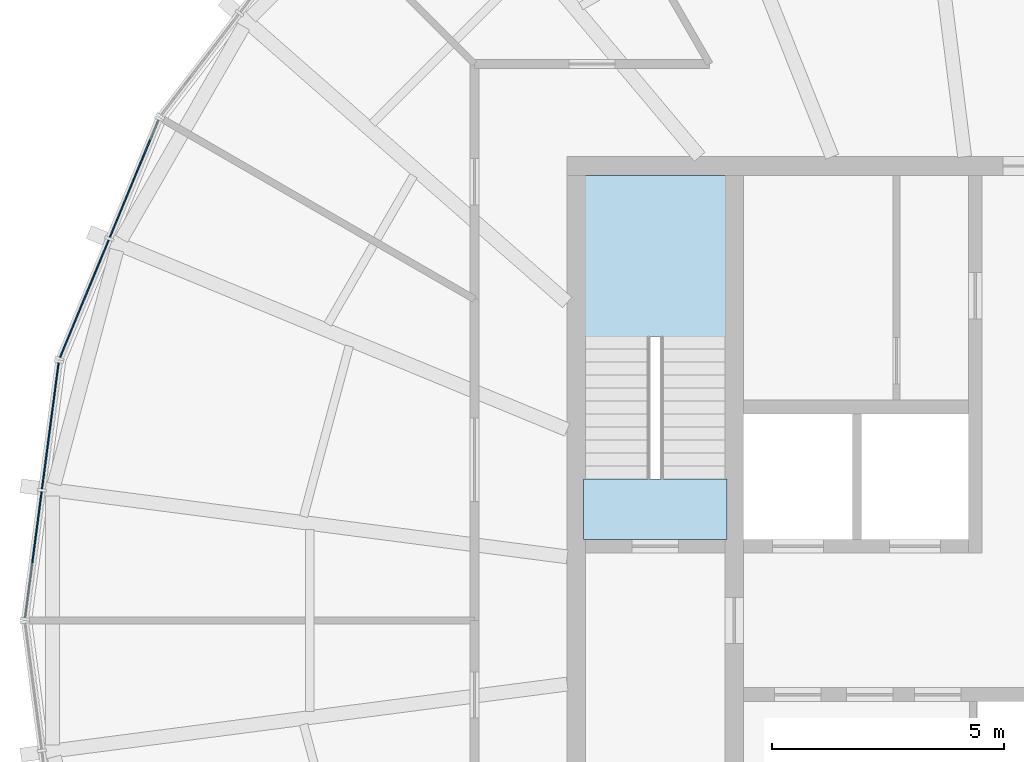
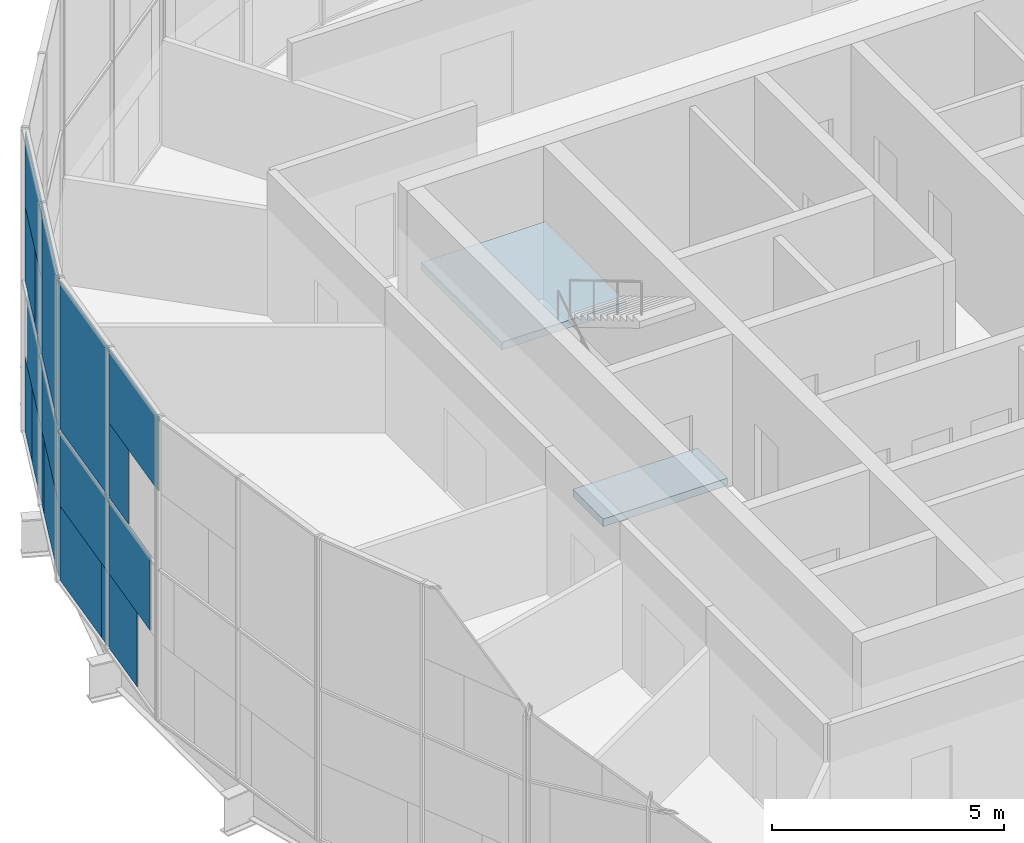
# One storey, part 10 of 18: 18 plates, 2 slabs, 3 elements without a shape of their own.
"""IFC4 building model written with IfcOpenShell, lengths in metres."""

from ifc_helpers import new_model, si_unit, direction, frame, origin, origin_2d, place, context, subcontext, project, spatial, polyline, rectangle, outline, extrude, material, layer, layer_set, type_object, element, aggregate, save


model = new_model("IFC4")

# Units and contexts
model_context = context("Model", 3, precision=1e-05, world=origin(), true_north=direction((0.0, 1.0)))
body_context = subcontext(model_context, "Body", "Model", "MODEL_VIEW")
ifc_project = project(units=[si_unit("LENGTHUNIT", "METRE"), si_unit("AREAUNIT", "SQUARE_METRE"), si_unit("VOLUMEUNIT", "CUBIC_METRE"), si_unit("PLANEANGLEUNIT", "RADIAN"), si_unit("MASSUNIT", "GRAM", prefix="KILO")], contexts=[model_context])

# Site, building, storey
site_placement = place(None, origin())
site = spatial("IfcSite", under=ifc_project, at=site_placement, CompositionType="ELEMENT")
building_placement = place(site_placement, origin())
building = spatial("IfcBuilding", under=site, at=building_placement, Name="Golbaran Civic Tower", CompositionType="ELEMENT")
storey_placement = place(building_placement, frame((0.0, 0.0, 272.0)))
storey = spatial("IfcBuildingStorey", under=building, at=storey_placement, Name="L66", CompositionType="ELEMENT", Elevation=272.0)

# Curtain wall, plates
ifc_material_1 = material(Name="Aluminium and glass", Category="aluminium")
curtain_wall_type = type_object("IfcCurtainWallType", Name="INNER SKIN CURTAIN WALL EXECUTIVE", PredefinedType="NOTDEFINED", material=ifc_material_1)
curtain_wall_1_placement = place(storey_placement, origin())
curtain_wall_1 = element("IfcCurtainWall", 1, at=curtain_wall_1_placement, inside=storey, type_object=curtain_wall_type, Name="Inner skin L66 facet 11 CW2", ObjectType="INNER SKIN", PredefinedType="USERDEFINED")
ifc_material_2 = material(Name="Clear insulating glass", Category="glass")
ifc_layer_1 = layer(ifc_material_2, 0.031982421875, Name="Clear insulating glass")
ifc_layer_set_1 = layer_set([ifc_layer_1], Name="Clear insulating glass")
plate_type_1 = type_object("IfcPlateType", Name="INNER SKIN CURTAIN WALL EXECUTIVE GLAZED PANEL", PredefinedType="CURTAIN_PANEL", material=ifc_layer_set_1)
plate_1_placement = place(storey_placement, frame((-19.041259765625, 10.24755859375, 0.06005859375), z_axis=(0.0, 0.0, 1.0), x_axis=(-0.382683432397, -0.923879532498, 0.0)))
plate_1 = element("IfcPlate", 2, at=plate_1_placement, type_object=plate_type_1, Name="CW2 panel 1.1 part 1", PredefinedType="CURTAIN_PANEL", context=body_context, shape_type="SweptSolid", body=[
    extrude(rectangle(XDim=1.18310546875, YDim=0.031982421875, at=origin_2d()), origin(), (0.0, 0.0, 1.0), 1.955078125),
])
plate_2_placement = place(storey_placement, frame((-19.6591796875, 8.75537109375, 4.030029296875), z_axis=(0.0, 0.0, 1.0), x_axis=(-0.382683432397, -0.923879532498, 0.0)))
plate_2 = element("IfcPlate", 3, at=plate_2_placement, type_object=plate_type_1, Name="CW2 panel 1.2 part 2", PredefinedType="CURTAIN_PANEL", context=body_context, shape_type="SweptSolid", body=[
    extrude(rectangle(XDim=1.0712890625, YDim=0.031982421875, at=origin_2d()), origin(), (0.0, 0.0, 1.0), 1.955078125),
])
plate_3_placement = place(storey_placement, frame((-20.48876953125, 6.753173828125, 0.06005859375), z_axis=(0.0, 0.0, 1.0), x_axis=(-0.382683432397, -0.923879532498, 0.0)))
plate_3 = element("IfcPlate", 4, at=plate_3_placement, type_object=plate_type_1, Name="CW2 panel 2.1 part 2", PredefinedType="CURTAIN_PANEL", context=body_context, shape_type="SweptSolid", body=[
    extrude(rectangle(XDim=2.34130859375, YDim=0.031982421875, at=origin_2d()), origin(), (0.0, 0.0, 1.0), 1.955078125),
])
plate_4_placement = place(storey_placement, frame((-20.411865234375, 6.938232421875, 2.014892578125), z_axis=(0.0, 0.0, 1.0), x_axis=(-0.382683432397, -0.923879532498, 0.0)))
plate_4 = element("IfcPlate", 5, at=plate_4_placement, type_object=plate_type_1, Name="CW2 panel 2.1 part 3", PredefinedType="CURTAIN_PANEL", context=body_context, shape_type="SweptSolid", body=[
    extrude(rectangle(XDim=2.7421875, YDim=0.031982421875, at=origin_2d()), origin(), (0.0, 0.0, 1.0), 1.955078125),
])
plate_5_placement = place(storey_placement, frame((-20.411865234375, 6.938232421875, 4.0302734375), z_axis=(0.0, 0.0, 1.0), x_axis=(-0.382683432397, -0.923879532498, 0.0)))
plate_5 = element("IfcPlate", 6, at=plate_5_placement, type_object=plate_type_1, Name="CW2 panel 2.2", PredefinedType="CURTAIN_PANEL", context=body_context, shape_type="SweptSolid", body=[
    extrude(rectangle(XDim=2.7421875, YDim=0.031982421875, at=origin_2d()), origin(), (0.0, 0.0, 1.0), 3.909912109375),
])

curtain_wall_2_placement = place(storey_placement, origin())
curtain_wall_2 = element("IfcCurtainWall", 7, at=curtain_wall_2_placement, inside=storey, type_object=curtain_wall_type, Name="Inner skin L66 facet 12 CW2", ObjectType="INNER SKIN", PredefinedType="USERDEFINED")
plate_6_placement = place(storey_placement, frame((-21.1201171875, 4.396240234375, 0.06005859375), z_axis=(0.0, 0.0, 1.0), x_axis=(-0.130526192151, -0.991444861383, 0.0)))
plate_6 = element("IfcPlate", 8, at=plate_6_placement, type_object=plate_type_1, Name="CW2 panel 1.1 part 1", PredefinedType="CURTAIN_PANEL", context=body_context, shape_type="SweptSolid", body=[
    extrude(rectangle(XDim=2.341064453125, YDim=0.031982421875, at=origin_2d()), origin(), (0.0, 0.0, 1.0), 1.955078125),
])
plate_7_placement = place(storey_placement, frame((-21.146484375, 4.197265625, 2.014892578125), z_axis=(0.0, 0.0, 1.0), x_axis=(-0.130526192151, -0.991444861383, 0.0)))
plate_7 = element("IfcPlate", 9, at=plate_7_placement, type_object=plate_type_1, Name="CW2 panel 1.1 part 3", PredefinedType="CURTAIN_PANEL", context=body_context, shape_type="SweptSolid", body=[
    extrude(rectangle(XDim=2.7421875, YDim=0.031982421875, at=origin_2d()), origin(), (0.0, 0.0, 1.0), 1.955078125),
])
plate_8_placement = place(storey_placement, frame((-21.146484375, 4.197265625, 4.0302734375), z_axis=(0.0, 0.0, 1.0), x_axis=(-0.130526192151, -0.991444861383, 0.0)))
plate_8 = element("IfcPlate", 10, at=plate_8_placement, type_object=plate_type_1, Name="CW2 panel 1.2", PredefinedType="CURTAIN_PANEL", context=body_context, shape_type="SweptSolid", body=[
    extrude(rectangle(XDim=2.7421875, YDim=0.031982421875, at=origin_2d()), origin(), (0.0, 0.0, 1.0), 3.909912109375),
])
plate_9_placement = place(storey_placement, frame((-21.403076171875, 2.247314453125, 4.030029296875), z_axis=(0.0, 0.0, 1.0), x_axis=(-0.130526192151, -0.991444861383, 0.0)))
plate_9 = element("IfcPlate", 11, at=plate_9_placement, type_object=plate_type_1, Name="CW2 panel 2.2 part 1", PredefinedType="CURTAIN_PANEL", context=body_context, shape_type="SweptSolid", body=[
    extrude(rectangle(XDim=1.071044921875, YDim=0.031982421875, at=origin_2d()), origin(), (0.0, 0.0, 1.0), 1.955078125),
])

# Plate
ifc_material_3 = material(Name="Aluminium faced opaque infill panel", Category="aluminium")
ifc_layer_2 = layer(ifc_material_3, 0.031982421875, Name="Aluminium faced opaque infill panel")
ifc_layer_set_2 = layer_set([ifc_layer_2], Name="Aluminium faced opaque infill panel")
plate_type_2 = type_object("IfcPlateType", Name="INNER SKIN CURTAIN WALL EXECUTIVE OPAQUE INFILL PANEL", PredefinedType="CURTAIN_PANEL", material=ifc_layer_set_2)
plate_10_placement = place(storey_placement, frame((-19.56591796875, 8.980712890625, 0.06005859375), z_axis=(0.0, 0.0, 1.0), x_axis=(-0.382683432397, -0.923879532498, 0.0)))
plate_10 = element("IfcPlate", 12, at=plate_10_placement, type_object=plate_type_2, Name="CW2 infill panel 1.1 part 2", PredefinedType="CURTAIN_PANEL", context=body_context, shape_type="SweptSolid", body=[
    extrude(rectangle(XDim=1.559326171875, YDim=0.031982421875, at=origin_2d()), origin(), (0.0, 0.0, 1.0), 1.955078125),
])

plate_11_placement = place(storey_placement, frame((-19.427490234375, 9.314697265625, 2.014892578125), z_axis=(0.0, 0.0, 1.0), x_axis=(-0.382683432397, -0.923879532498, 0.0)))
plate_11 = element("IfcPlate", 13, at=plate_11_placement, type_object=plate_type_2, Name="CW2 infill panel 1.1 part 4", PredefinedType="CURTAIN_PANEL", context=body_context, shape_type="SweptSolid", body=[
    extrude(rectangle(XDim=2.2822265625, YDim=0.031982421875, at=origin_2d()), origin(), (0.0, 0.0, 1.0), 1.955078125),
])

plate_12_placement = place(storey_placement, frame((-19.134521484375, 10.022216796875, 4.030029296875), z_axis=(0.0, 0.0, 1.0), x_axis=(-0.382683432397, -0.923879532498, 0.0)))
plate_12 = element("IfcPlate", 14, at=plate_12_placement, type_object=plate_type_2, Name="CW2 infill panel 1.2 part 1", PredefinedType="CURTAIN_PANEL", context=body_context, shape_type="SweptSolid", body=[
    extrude(rectangle(XDim=1.6708984375, YDim=0.031982421875, at=origin_2d()), origin(), (0.0, 0.0, 1.0), 1.955078125),
])

plate_13_placement = place(storey_placement, frame((-19.339599609375, 9.52734375, 5.98486328125), z_axis=(0.0, 0.0, 1.0), x_axis=(-0.382683432397, -0.923879532498, 0.0)))
plate_13 = element("IfcPlate", 15, at=plate_13_placement, type_object=plate_type_2, Name="CW2 infill panel 1.2 part 3", PredefinedType="CURTAIN_PANEL", context=body_context, shape_type="SweptSolid", body=[
    extrude(rectangle(XDim=2.7421875, YDim=0.031982421875, at=origin_2d()), origin(), (0.0, 0.0, 1.0), 1.955078125),
])

plate_14_placement = place(storey_placement, frame((-19.9638671875, 8.019775390625, 0.06005859375), z_axis=(0.0, 0.0, 1.0), x_axis=(-0.382683432397, -0.923879532498, 0.0)))
plate_14 = element("IfcPlate", 16, at=plate_14_placement, type_object=plate_type_2, Name="CW2 infill panel 2.1 part 1", PredefinedType="CURTAIN_PANEL", context=body_context, shape_type="SweptSolid", body=[
    extrude(rectangle(XDim=0.40087890625, YDim=0.031982421875, at=origin_2d()), origin(), (0.0, 0.0, 1.0), 1.955078125),
])

aggregate(curtain_wall_1, [plate_1, plate_10, plate_11, plate_12, plate_2, plate_13, plate_14, plate_3, plate_4, plate_5])

plate_15_placement = place(storey_placement, frame((-21.29931640625, 3.03662109375, 0.06005859375), z_axis=(0.0, 0.0, 1.0), x_axis=(-0.130526192151, -0.991444861383, 0.0)))
plate_15 = element("IfcPlate", 17, at=plate_15_placement, type_object=plate_type_2, Name="CW2 infill panel 1.1 part 2", PredefinedType="CURTAIN_PANEL", context=body_context, shape_type="SweptSolid", body=[
    extrude(rectangle(XDim=0.4013671875, YDim=0.031982421875, at=origin_2d()), origin(), (0.0, 0.0, 1.0), 1.955078125),
])

plate_16_placement = place(storey_placement, frame((-21.43505859375, 2.00537109375, 0.06005859375), z_axis=(0.0, 0.0, 1.0), x_axis=(-0.130526192151, -0.991444861383, 0.0)))
plate_16 = element("IfcPlate", 18, at=plate_16_placement, type_object=plate_type_2, Name="CW2 infill panel 2.1 part 1", PredefinedType="CURTAIN_PANEL", context=body_context, shape_type="SweptSolid", body=[
    extrude(rectangle(XDim=1.55908203125, YDim=0.031982421875, at=origin_2d()), origin(), (0.0, 0.0, 1.0), 1.955078125),
])

plate_17_placement = place(storey_placement, frame((-21.482177734375, 1.64697265625, 2.014892578125), z_axis=(0.0, 0.0, 1.0), x_axis=(-0.130526192151, -0.991444861383, 0.0)))
plate_17 = element("IfcPlate", 19, at=plate_17_placement, type_object=plate_type_2, Name="CW2 infill panel 2.1 part 3", PredefinedType="CURTAIN_PANEL", context=body_context, shape_type="SweptSolid", body=[
    extrude(rectangle(XDim=2.281982421875, YDim=0.031982421875, at=origin_2d()), origin(), (0.0, 0.0, 1.0), 1.955078125),
])

plate_18_placement = place(storey_placement, frame((-21.51220703125, 1.4189453125, 5.98486328125), z_axis=(0.0, 0.0, 1.0), x_axis=(-0.130526192151, -0.991444861383, 0.0)))
plate_18 = element("IfcPlate", 20, at=plate_18_placement, type_object=plate_type_2, Name="CW2 infill panel 2.2 part 3", PredefinedType="CURTAIN_PANEL", context=body_context, shape_type="SweptSolid", body=[
    extrude(rectangle(XDim=2.7421875, YDim=0.031982421875, at=origin_2d()), origin(), (0.0, 0.0, 1.0), 1.955078125),
])

aggregate(curtain_wall_2, [plate_6, plate_15, plate_7, plate_8, plate_16, plate_17, plate_9, plate_18])

# Stair, slab
ifc_material_4 = material(Name="Concrete C35/45", Category="concrete")
stair_type = type_object("IfcStairType", Name="EXIT STAIR 3000 x 7850, 4000 RISE", PredefinedType="HALF_TURN_STAIR", material=ifc_material_4)
stair_placement = place(storey_placement, origin())
stair = element("IfcStair", 21, at=stair_placement, inside=storey, type_object=stair_type, Name="Stair S1 L66", PredefinedType="HALF_TURN_STAIR")
ifc_layer_3 = layer(ifc_material_4, 0.199951171875, Name="Concrete C35/45")
ifc_layer_set_3 = layer_set([ifc_layer_3], Name="Concrete C35/45")
slab_type = type_object("IfcSlabType", Name="STAIR LANDING 200", PredefinedType="LANDING", material=ifc_layer_set_3)
slab_1_placement = place(storey_placement, frame((0.0, 0.0, 1.800048828125)))
slab_1 = element("IfcSlab", 22, at=slab_1_placement, type_object=slab_type, Name="ST30078-40 landing 1", PredefinedType="LANDING", context=body_context, shape_type="SweptSolid", body=[
    extrude(outline(polyline([(-9.64990234375, 6.125), (-9.64990234375, 9.60009765625), (-6.550048828125, 9.60009765625), (-6.550048828125, 6.125), (-9.64990234375, 6.125)])), origin(), (0.0, 0.0, 1.0), 0.199951171875),
])
aggregate(stair, [slab_1])

# Slab
slab_2_placement = place(storey_placement, frame((0.0, 0.0, -0.199951171875)))
element("IfcSlab", 23, at=slab_2_placement, inside=storey, type_object=slab_type, Name="Stair S1 floor landing L66", PredefinedType="LANDING", context=body_context, shape_type="SweptSolid", body=[
    extrude(outline(polyline([(-9.64990234375, 1.75), (-9.64990234375, 3.054931640625), (-6.550048828125, 3.054931640625), (-6.550048828125, 1.75), (-9.64990234375, 1.75)])), origin(), (0.0, 0.0, 1.0), 0.199951171875),
])

save(model, "model.ifc")
